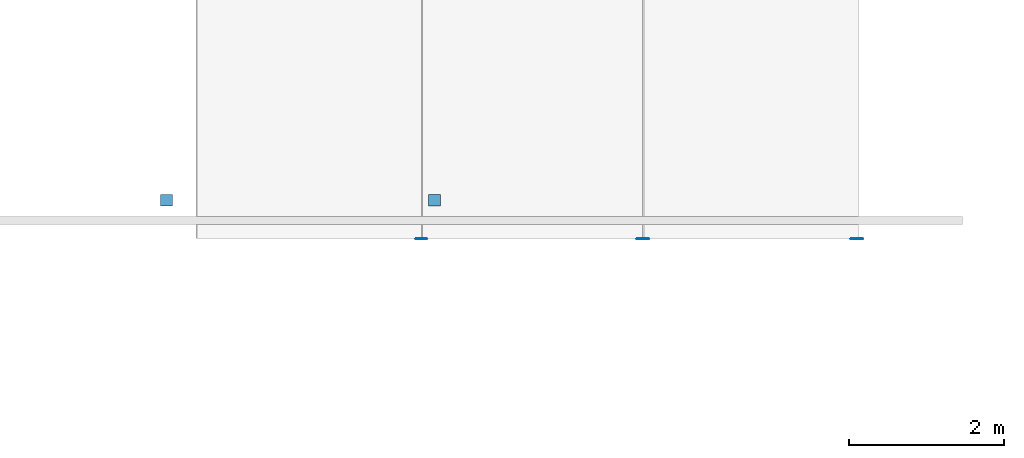
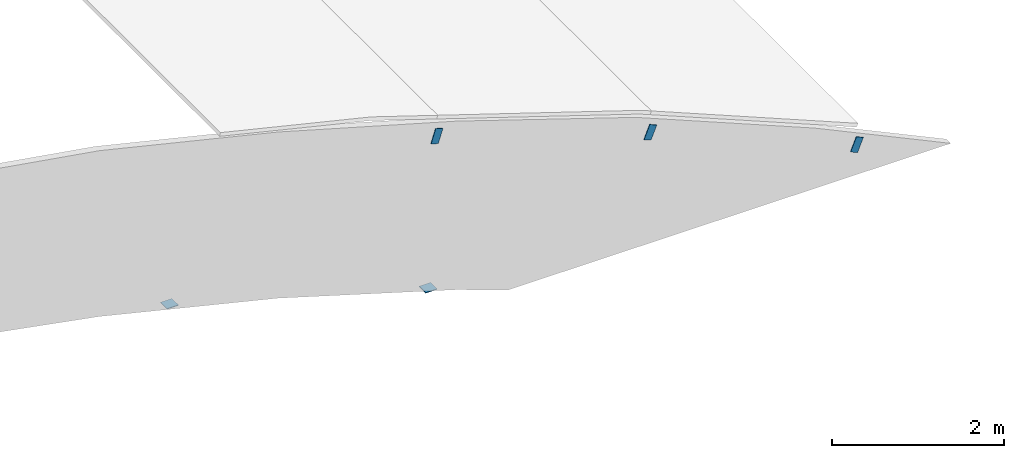
# One storey, part 4 of 17: 5 discrete accessories.
"""IFC4 building model written with IfcOpenShell, lengths in metres."""

from ifc_helpers import new_model, si_unit, direction, frame, origin, origin_2d, place, context, subcontext, project, spatial, rectangle, extrude, material, material_profile, profile_set, type_object, element, save


model = new_model("IFC4")

# Units and contexts
model_context = context("Model", 3, precision=1e-05, world=origin(), true_north=direction((0.0, 1.0)))
body_context = subcontext(model_context, "Body", "Model", "MODEL_VIEW")
ifc_project = project(units=[si_unit("LENGTHUNIT", "METRE"), si_unit("AREAUNIT", "SQUARE_METRE"), si_unit("VOLUMEUNIT", "CUBIC_METRE"), si_unit("PLANEANGLEUNIT", "RADIAN"), si_unit("MASSUNIT", "GRAM", prefix="KILO")], contexts=[model_context])

# Site, building, storey
site_placement = place(None, origin())
site = spatial("IfcSite", under=ifc_project, at=site_placement, CompositionType="ELEMENT")
building_placement = place(site_placement, origin())
building = spatial("IfcBuilding", under=site, at=building_placement, Name="Verrick Yard Athletic Hall", CompositionType="ELEMENT")
storey_placement = place(building_placement, frame((0.0, 0.0, 18.199951171875)))
storey = spatial("IfcBuildingStorey", under=building, at=storey_placement, Name="Roof", CompositionType="ELEMENT", Elevation=18.199951171875)

# Discrete accessories
ifc_material = material(Name="Structural steel 350W (CSA G40.21)", Category="steel")
ifc_material_profile_1 = material_profile(ifc_material, rectangle(XDim=0.1015625, YDim=0.203125, at=origin_2d()), Name="STR End cap plate 203x102x9.5")
ifc_profile_set_1 = profile_set([ifc_material_profile_1], Name="Structural steel 350W (CSA G40.21)")
discrete_accessory_type_1 = type_object("IfcDiscreteAccessoryType", Name="STR End cap plate 203x102x9.5", PredefinedType="BRACKET", material=ifc_profile_set_1)
for number, where, z_axis, x_axis, name in (
    (1, (66.0205078125, 71.989990234375, 2.6728515625), (0.0, 1.0, 0.0), (-0.951213620533, 0.0, 0.308533058379), "End cap HB-PU-B-1-14 A"),
    (2, (71.6572265625, 71.989990234375, 0.578125), (0.0, 1.0, 0.0), (-0.924122791552, 0.0, 0.382095624331), "End cap HB-PU-B-1-16 A"),
    (3, (68.885009765625, 71.989990234375, 1.724365234375), (0.0, 1.0, 0.0), (-0.924122791552, 0.0, 0.382095624331), "End cap HB-PU-B-1-15 A"),
):
    element("IfcDiscreteAccessory", number, at=place(storey_placement, frame(where, z_axis=z_axis, x_axis=x_axis)), inside=storey, type_object=discrete_accessory_type_1, Name=name, PredefinedType="BRACKET", context=body_context, shape_type="SweptSolid", body=[
        extrude(rectangle(XDim=0.1015625, YDim=0.203125, at=origin_2d()), origin(), (0.0, 0.0, 1.0), 0.010009765625),
    ])
ifc_material_profile_2 = material_profile(ifc_material, rectangle(XDim=0.15234375, YDim=0.15234375, at=origin_2d()), Name="STR End cap plate 152x152x9.5")
ifc_profile_set_2 = profile_set([ifc_material_profile_2], Name="Structural steel 350W (CSA G40.21)")
discrete_accessory_type_2 = type_object("IfcDiscreteAccessoryType", Name="STR End cap plate 152x152x9.5", PredefinedType="BRACKET", material=ifc_profile_set_2)
for number, where, z_axis, x_axis, name in (
    (4, (66.192626953125, 72.49462890625, 0.149658203125), (0.0, 0.0, 1.0), (1.0, 0.0, 0.0), "End cap HB-GP-BS-11 B"),
    (5, (62.721435546875, 72.49462890625, 1.136962890625), (0.0, 0.0, 1.0), (1.0, 0.0, 0.0), "End cap HB-GP-BS-10 B"),
):
    element("IfcDiscreteAccessory", number, at=place(storey_placement, frame(where, z_axis=z_axis, x_axis=x_axis)), inside=storey, type_object=discrete_accessory_type_2, Name=name, PredefinedType="BRACKET", context=body_context, shape_type="SweptSolid", body=[
        extrude(rectangle(XDim=0.15234375, YDim=0.15234375, at=origin_2d()), origin(), (0.0, 0.0, 1.0), 0.010009765625),
    ])

save(model, "model.ifc")
